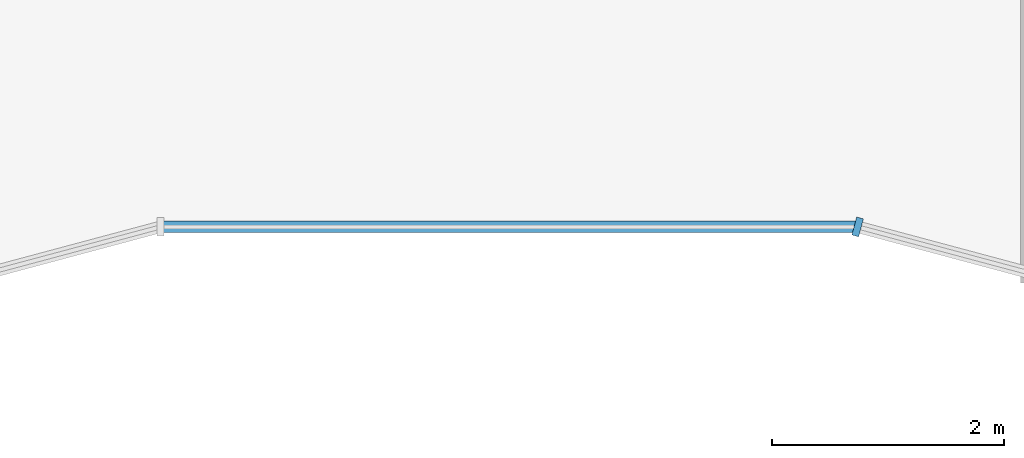
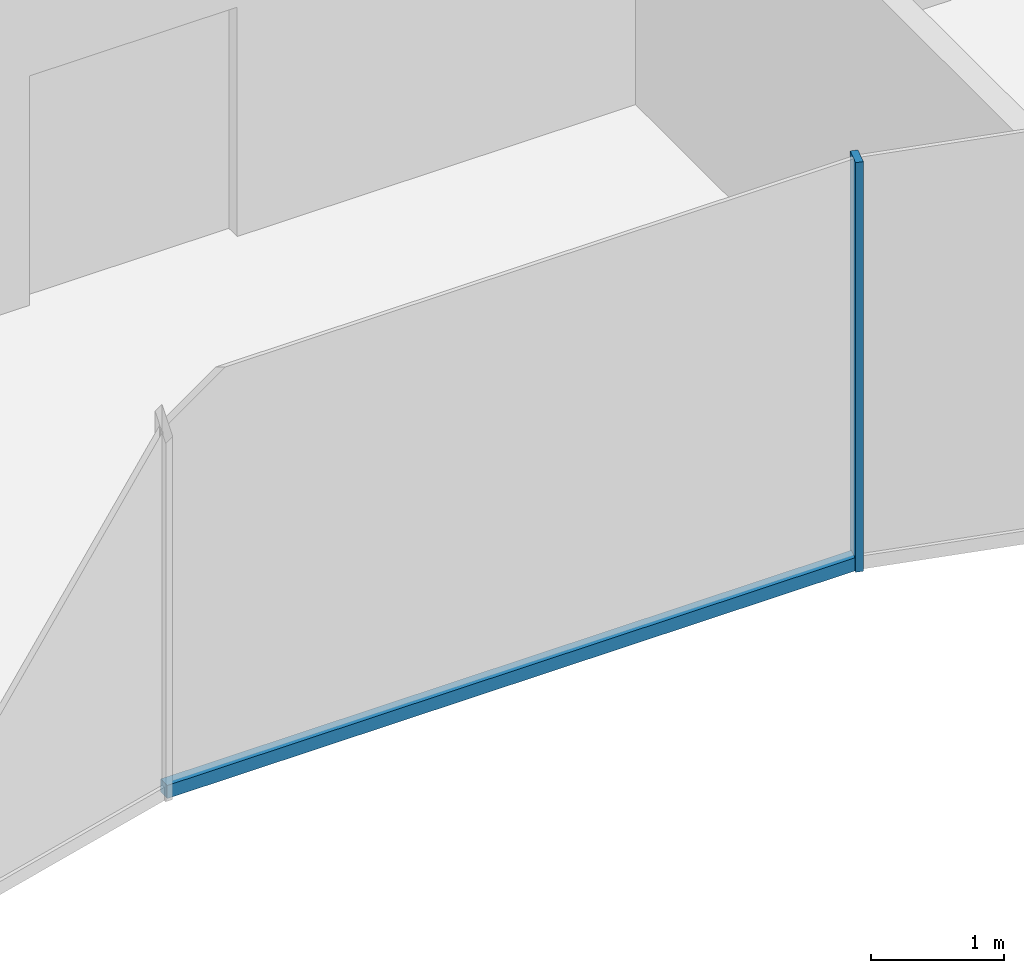
# One storey, part 3 of 16: 2 members, 2 elements without a shape of their own.
"""IFC4 building model written with IfcOpenShell, lengths in metres."""

from ifc_helpers import new_model, si_unit, direction, frame, origin, origin_2d, place, context, subcontext, project, spatial, rectangle, extrude, material, layer, layer_set, material_profile, profile_set, type_object, element, aggregate, save


model = new_model("IFC4")

# Units and contexts
model_context = context("Model", 3, precision=1e-05, world=origin(), true_north=direction((0.0, 1.0)))
body_context = subcontext(model_context, "Body", "Model", "MODEL_VIEW")
ifc_project = project(units=[si_unit("LENGTHUNIT", "METRE"), si_unit("AREAUNIT", "SQUARE_METRE"), si_unit("VOLUMEUNIT", "CUBIC_METRE"), si_unit("PLANEANGLEUNIT", "RADIAN"), si_unit("MASSUNIT", "GRAM", prefix="KILO")], contexts=[model_context])

# Site, building, storey
site_placement = place(None, origin())
site = spatial("IfcSite", under=ifc_project, at=site_placement, CompositionType="ELEMENT")
building_placement = place(site_placement, origin())
building = spatial("IfcBuilding", under=site, at=building_placement, Name="Plateau Cross Towers", CompositionType="ELEMENT")
storey_placement = place(building_placement, frame((0.0, 0.0, 181.39990234375)))
storey = spatial("IfcBuildingStorey", under=building, at=storey_placement, Name="L47", CompositionType="ELEMENT", Elevation=181.39990234375)

# Curtain wall, member
ifc_material_1 = material(Name="Dark low-iron glass", Category="glass")
ifc_layer = layer(ifc_material_1, 0.260009765625)
ifc_layer_set = layer_set([ifc_layer], Name="Dark low-iron glass")
curtain_wall_type = type_object("IfcCurtainWallType", Name="Curtain wall fluted unitised CW-A", PredefinedType="NOTDEFINED", material=ifc_layer_set)
curtain_wall_1_placement = place(storey_placement, origin())
curtain_wall_1 = element("IfcCurtainWall", 1, at=curtain_wall_1_placement, inside=storey, type_object=curtain_wall_type, Name="ENV/A/L47/A300_16", PredefinedType="NOTDEFINED")
ifc_material_2 = material(Name="Black anodised aluminium", Category="aluminium")
ifc_material_profile_1 = material_profile(ifc_material_2, rectangle(XDim=0.06005859375, YDim=0.159912109375, at=origin_2d()), Name="MULLION 60x160")
ifc_profile_set_1 = profile_set([ifc_material_profile_1], Name="Black anodised aluminium")
member_type_1 = type_object("IfcMemberType", Name="Mullion 60x160 fluted unitised", PredefinedType="MULLION", material=ifc_profile_set_1)
member_1_placement = place(storey_placement, frame((30.0, 1.60693359375, -0.25), z_axis=(0.0, 0.0, 1.0), x_axis=(0.965957983404, -0.258699003279, 0.0)))
member_1 = element("IfcMember", 2, at=member_1_placement, type_object=member_type_1, Name="CW-A mullion 1", PredefinedType="MULLION", context=body_context, shape_type="SweptSolid", body=[
    extrude(rectangle(XDim=0.06005859375, YDim=0.159912109375, at=origin_2d()), origin(), (0.0, 0.0, 1.0), 3.75),
])
aggregate(curtain_wall_1, [member_1])

curtain_wall_2_placement = place(storey_placement, origin())
curtain_wall_2 = element("IfcCurtainWall", 3, at=curtain_wall_2_placement, inside=storey, type_object=curtain_wall_type, Name="ENV/A/L47/A240_16", PredefinedType="NOTDEFINED")
ifc_material_profile_2 = material_profile(ifc_material_2, rectangle(XDim=0.10009765625, YDim=0.1201171875, at=origin_2d()), Name="TRANSOM 100x120")
ifc_profile_set_2 = profile_set([ifc_material_profile_2], Name="Black anodised aluminium")
member_type_2 = type_object("IfcMemberType", Name="Transom 100x120 fluted unitised", PredefinedType="USERDEFINED", material=ifc_profile_set_2)
member_2_placement = place(storey_placement, frame((24.0, 1.60693359375, -0.18994140625), z_axis=(1.0, 0.0, 0.0), x_axis=(0.0, 1.0, 0.0)))
member_2 = element("IfcMember", 4, at=member_2_placement, type_object=member_type_2, Name="CW-A transom", ObjectType="TRANSOM", PredefinedType="USERDEFINED", context=body_context, shape_type="SweptSolid", body=[
    extrude(rectangle(XDim=0.10009765625, YDim=0.1201171875, at=origin_2d()), origin(), (0.0, 0.0, 1.0), 6.0),
])
aggregate(curtain_wall_2, [member_2])

save(model, "model.ifc")
